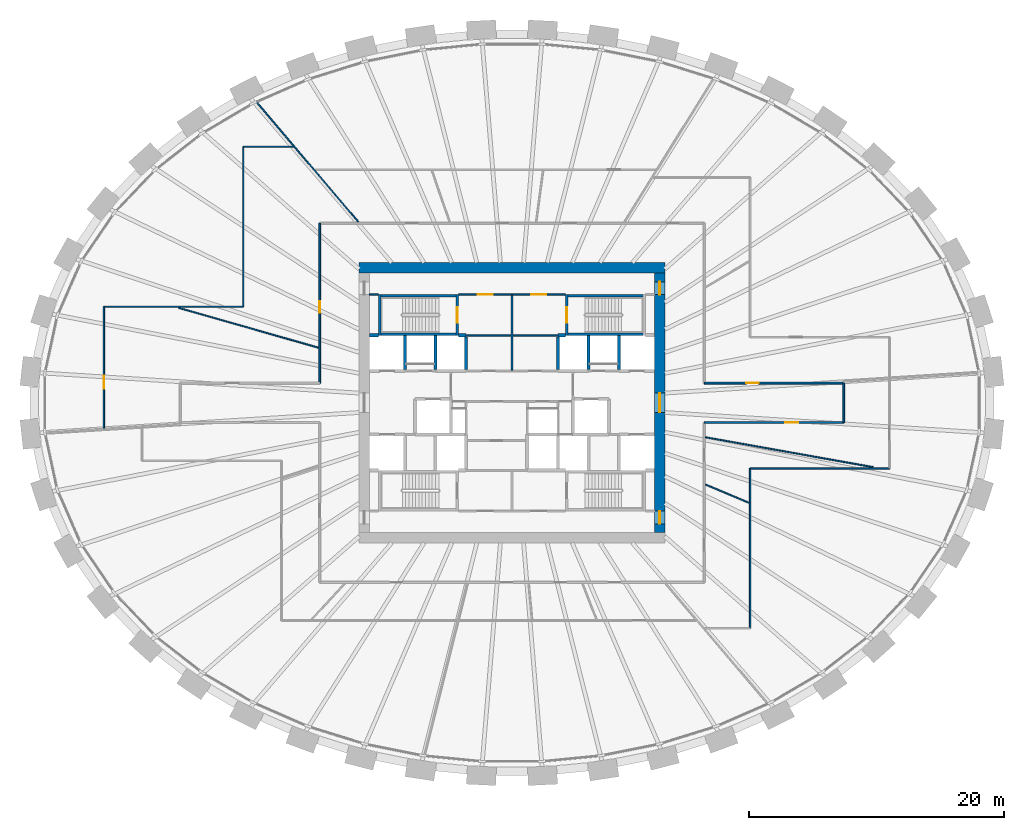
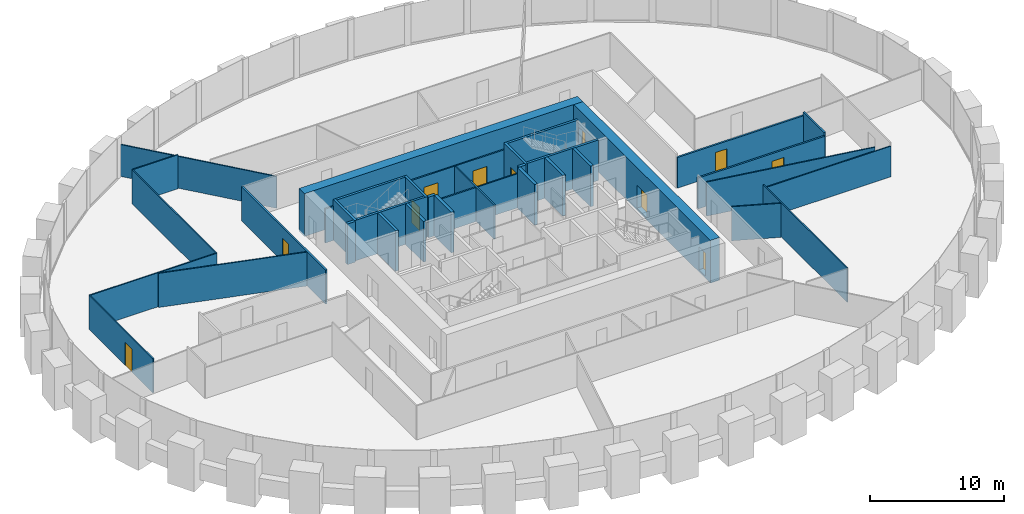
# One storey, part 8 of 10: 36 walls, 11 doors, 11 openings.
"""IFC4 building model written with IfcOpenShell, lengths in metres."""

from ifc_helpers import new_model, si_unit, direction, frame, frame_2d, origin, place, context, subcontext, project, spatial, rectangle, extrude, source, transform, mapped, material, layer, layer_set, type_object, element, fill, save


model = new_model("IFC4")

# Units and contexts
model_context = context("Model", 3, precision=1e-05, world=origin(), true_north=direction((0.0, 1.0)))
body_context = subcontext(model_context, "Body", "Model", "MODEL_VIEW")
ifc_project = project(units=[si_unit("LENGTHUNIT", "METRE"), si_unit("AREAUNIT", "SQUARE_METRE"), si_unit("VOLUMEUNIT", "CUBIC_METRE"), si_unit("PLANEANGLEUNIT", "RADIAN"), si_unit("MASSUNIT", "GRAM", prefix="KILO")], contexts=[model_context])

# Site, building, storey
site_placement = place(None, origin())
site = spatial("IfcSite", under=ifc_project, at=site_placement, CompositionType="ELEMENT")
building_placement = place(site_placement, origin())
building = spatial("IfcBuilding", under=site, at=building_placement, Name="Embergate Tower", CompositionType="ELEMENT")
storey_placement = place(building_placement, frame((0.0, 0.0, 152.10009765625)))
storey = spatial("IfcBuildingStorey", under=building, at=storey_placement, Name="L33", CompositionType="ELEMENT", Elevation=152.10009765625)

# Wall
ifc_material_1 = material(Name="Concrete C70", Category="concrete")
ifc_layer_1 = layer(ifc_material_1, 0.800048828125)
ifc_layer_set_1 = layer_set([ifc_layer_1], Name="Concrete C70")
wall_type_1 = type_object("IfcWallType", Name="Core outer wall C70 800", PredefinedType="SHEAR", material=ifc_layer_set_1)
shared_shape_1 = source(origin(), body_context, "Body", "SweptSolid", [
    extrude(rectangle(XDim=24.0, YDim=0.800048828125, at=frame_2d((12.0, 0.0))), origin(), (0.0, 0.0, 1.0), 3.900146484375),
])
wall_1_placement = place(storey_placement, frame((-12.0, 10.60009765625, -0.2001953125), z_axis=(0.0, 0.0, 1.0), x_axis=(1.0, 0.0, 0.0)))
element("IfcWall", 1, at=wall_1_placement, inside=storey, type_object=wall_type_1, Name="CW-L33-N", PredefinedType="SHEAR", context=body_context, shape_type="MappedRepresentation", body=[
    mapped(shared_shape_1, transform((0.0, 0.0, 0.0))),
])

# Wall, openings, doors
shared_shape_2 = source(origin(), body_context, "Body", "SweptSolid", [
    extrude(rectangle(XDim=20.39990234375, YDim=0.800048828125, at=frame_2d((10.199951171875, 0.0))), origin(), (0.0, 0.0, 1.0), 3.900146484375),
])
wall_2_placement = place(storey_placement, frame((11.60009765625, -10.199951171875, -0.2001953125), z_axis=(0.0, 0.0, 1.0), x_axis=(0.0, 1.0, 0.0)))
wall_2 = element("IfcWall", 2, at=wall_2_placement, inside=storey, type_object=wall_type_1, Name="CW-L33-E", PredefinedType="SHEAR", context=body_context, shape_type="MappedRepresentation", body=[
    mapped(shared_shape_2, transform((0.0, 0.0, 0.0))),
])
shared_shape_3 = source(origin(), body_context, "Body", "SweptSolid", [
    extrude(rectangle(XDim=1.0, YDim=2.10009765625, at=frame_2d((0.5, 1.050048828125))), frame((0.0, 0.409912109375, 0.0), z_axis=(0.0, -1.0, 0.0), x_axis=(1.0, 0.0, 0.0)), (0.0, 0.0, 1.0), 0.820068359375),
])
opening_1_placement = place(wall_2_placement, frame((18.699951171875, 0.0, 0.199951171875)))
opening_1 = element("IfcOpeningElement", 3, at=opening_1_placement, cuts=wall_2, Name="Opening IF-1d", PredefinedType="OPENING", context=body_context, shape_type="MappedRepresentation", body=[
    mapped(shared_shape_3, transform((0.0, 0.0, 0.0))),
])
opening_2_placement = place(wall_2_placement, frame((0.699951171875, 0.0, 0.199951171875)))
opening_2 = element("IfcOpeningElement", 4, at=opening_2_placement, cuts=wall_2, Name="Opening IF-1d", PredefinedType="OPENING", context=body_context, shape_type="MappedRepresentation", body=[
    mapped(shared_shape_3, transform((0.0, 0.0, 0.0))),
])
shared_shape_4 = source(origin(), body_context, "Body", "SweptSolid", [
    extrude(rectangle(XDim=1.5, YDim=2.10009765625, at=frame_2d((0.75, 1.050048828125))), frame((0.0, 0.409912109375, 0.0), z_axis=(0.0, -1.0, 0.0), x_axis=(1.0, 0.0, 0.0)), (0.0, 0.0, 1.0), 0.820068359375),
])
opening_3_placement = place(wall_2_placement, frame((9.449951171875, 0.0, 0.199951171875)))
opening_3 = element("IfcOpeningElement", 5, at=opening_3_placement, cuts=wall_2, Name="Opening IF-3", PredefinedType="OPENING", context=body_context, shape_type="MappedRepresentation", body=[
    mapped(shared_shape_4, transform((0.0, 0.0, 0.0))),
])
ifc_material_2 = material(Name="Lobby fire door pair 1500")
door_type_1 = type_object("IfcDoorType", Name="Lobby fire door pair 1500", OperationType="DOUBLE_DOOR_SINGLE_SWING", PredefinedType="DOOR", material=ifc_material_2)
shared_shape_5 = source(origin(), body_context, "Body", "SweptSolid", [
    extrude(rectangle(XDim=1.5, YDim=2.10009765625, at=frame_2d((0.75, 1.050048828125))), frame((0.0, 0.02490234375, 0.0), z_axis=(0.0, -1.0, 0.0), x_axis=(1.0, 0.0, 0.0)), (0.0, 0.0, 1.0), 0.050048828125),
])
door_1_placement = place(opening_3_placement, origin())
door_1 = element("IfcDoor", 6, at=door_1_placement, inside=storey, type_object=door_type_1, Name="IF-3 door", OperationType="DOUBLE_DOOR_SINGLE_SWING", OverallHeight=2.10009765625, OverallWidth=1.5, PredefinedType="DOOR", context=body_context, shape_type="MappedRepresentation", body=[
    mapped(shared_shape_5, transform((0.0, 0.0, 0.0))),
])
fill(opening_3, door_1)
ifc_material_3 = material(Name="Escape fire door 1000")
door_type_2 = type_object("IfcDoorType", Name="Escape fire door 1000", OperationType="SINGLE_SWING_LEFT", PredefinedType="DOOR", material=ifc_material_3)
shared_shape_6 = source(origin(), body_context, "Body", "SweptSolid", [
    extrude(rectangle(XDim=1.0, YDim=2.10009765625, at=frame_2d((0.5, 1.050048828125))), frame((0.0, 0.02490234375, 0.0), z_axis=(0.0, -1.0, 0.0), x_axis=(1.0, 0.0, 0.0)), (0.0, 0.0, 1.0), 0.050048828125),
])
door_2_placement = place(opening_1_placement, origin())
door_2 = element("IfcDoor", 7, at=door_2_placement, inside=storey, type_object=door_type_2, Name="IF-1 door", OperationType="SINGLE_SWING_RIGHT", OverallHeight=2.10009765625, OverallWidth=1.0, PredefinedType="DOOR", context=body_context, shape_type="MappedRepresentation", body=[
    mapped(shared_shape_6, transform((0.0, 0.0, 0.0))),
])
fill(opening_1, door_2)
door_3_placement = place(opening_2_placement, origin())
door_3 = element("IfcDoor", 8, at=door_3_placement, inside=storey, type_object=door_type_2, Name="IF-1 door", OperationType="SINGLE_SWING_LEFT", OverallHeight=2.10009765625, OverallWidth=1.0, PredefinedType="DOOR", context=body_context, shape_type="MappedRepresentation", body=[
    mapped(shared_shape_6, transform((0.0, 0.0, 0.0))),
])
fill(opening_2, door_3)

# Walls
ifc_material_4 = material(Name="Concrete C50", Category="concrete")
ifc_layer_2 = layer(ifc_material_4, 0.25)
ifc_layer_set_2 = layer_set([ifc_layer_2], Name="Concrete C50")
wall_type_2 = type_object("IfcWallType", Name="Hoistway wall reinforced concrete 250", PredefinedType="SHEAR", material=ifc_layer_set_2)
shared_shape_7 = source(origin(), body_context, "Body", "SweptSolid", [
    extrude(rectangle(XDim=2.675048828125, YDim=0.25, at=frame_2d((1.33740234375, 0.0))), origin(), (0.0, 0.0, 1.0), 3.699951171875),
])
for number, where, z_axis, x_axis, name in (
    (9, (-8.39990234375, 2.625, 0.0), (0.0, 0.0, 1.0), (0.0, 1.0, 0.0), "HW-1 wall"),
    (10, (-6.0, 2.625, 0.0), (0.0, 0.0, 1.0), (0.0, 1.0, 0.0), "HW-1 wall"),
    (11, (6.0, 2.625, 0.0), (0.0, 0.0, 1.0), (0.0, 1.0, 0.0), "HW-1 wall"),
    (12, (8.39990234375, 2.625, 0.0), (0.0, 0.0, 1.0), (0.0, 1.0, 0.0), "HW-1 wall"),
):
    element("IfcWall", number, at=place(storey_placement, frame(where, z_axis=z_axis, x_axis=x_axis)), inside=storey, type_object=wall_type_2, Name=name, PredefinedType="SHEAR", context=body_context, shape_type="MappedRepresentation", body=[
        mapped(shared_shape_7, transform((0.0, 0.0, 0.0))),
    ])
ifc_layer_3 = layer(ifc_material_4, 0.199951171875)
ifc_layer_set_3 = layer_set([ifc_layer_3], Name="Concrete C50")
wall_type_3 = type_object("IfcWallType", Name="Stair enclosure wall reinforced concrete 250", PredefinedType="SHEAR", material=ifc_layer_set_3)
shared_shape_8 = source(origin(), body_context, "Body", "SweptSolid", [
    extrude(rectangle(XDim=6.300048828125, YDim=0.199951171875, at=frame_2d((3.14990234375, 0.0))), origin(), (0.0, 0.0, 1.0), 3.699951171875),
])
for number, where, z_axis, x_axis, name in (
    (13, (-4.199951171875, 5.39990234375, 0.0), (0.0, 0.0, 1.0), (-1.0, 0.0, 0.0), "SE-1 wall"),
    (14, (10.5, 5.39990234375, 0.0), (0.0, 0.0, 1.0), (-1.0, 0.0, 0.0), "SE-1 wall"),
    (15, (-4.199951171875, 8.39990234375, 0.0), (0.0, 0.0, 1.0), (-1.0, 0.0, 0.0), "SE-1 wall"),
    (16, (10.5, 8.39990234375, 0.0), (0.0, 0.0, 1.0), (-1.0, 0.0, 0.0), "SE-1 wall"),
):
    element("IfcWall", number, at=place(storey_placement, frame(where, z_axis=z_axis, x_axis=x_axis)), inside=storey, type_object=wall_type_3, Name=name, PredefinedType="SHEAR", context=body_context, shape_type="MappedRepresentation", body=[
        mapped(shared_shape_8, transform((0.0, 0.0, 0.0))),
    ])
shared_shape_9 = source(origin(), body_context, "Body", "SweptSolid", [
    extrude(rectangle(XDim=2.550048828125, YDim=0.25, at=frame_2d((1.27490234375, 0.0))), origin(), (0.0, 0.0, 1.0), 3.699951171875),
])
for number, where, z_axis, x_axis, name in (
    (17, (-3.60009765625, 2.625, 0.0), (0.0, 0.0, 1.0), (0.0, 1.0, 0.0), "HW-1 wall"),
    (18, (3.60009765625, 5.175048828125, 0.0), (0.0, 0.0, 1.0), (0.0, -1.0, 0.0), "HW-1 wall"),
):
    element("IfcWall", number, at=place(storey_placement, frame(where, z_axis=z_axis, x_axis=x_axis)), inside=storey, type_object=wall_type_2, Name=name, PredefinedType="SHEAR", context=body_context, shape_type="MappedRepresentation", body=[
        mapped(shared_shape_9, transform((0.0, 0.0, 0.0))),
    ])

# Wall, opening, door
shared_shape_10 = source(origin(), body_context, "Body", "SweptSolid", [
    extrude(rectangle(XDim=3.199951171875, YDim=0.199951171875, at=frame_2d((1.60009765625, 0.0))), origin(), (0.0, 0.0, 1.0), 3.699951171875),
])
wall_3_placement = place(storey_placement, frame((-4.300048828125, 5.300048828125, 0.0), z_axis=(0.0, 0.0, 1.0), x_axis=(0.0, 1.0, 0.0)))
wall_3 = element("IfcWall", 19, at=wall_3_placement, inside=storey, type_object=wall_type_3, Name="SE-1 wall", PredefinedType="SHEAR", context=body_context, shape_type="MappedRepresentation", body=[
    mapped(shared_shape_10, transform((0.0, 0.0, 0.0))),
])
shared_shape_11 = source(origin(), body_context, "Body", "SweptSolid", [
    extrude(rectangle(XDim=1.199951171875, YDim=2.10009765625, at=frame_2d((0.60009765625, 1.050048828125))), frame((0.0, 0.10986328125, 0.0), z_axis=(0.0, -1.0, 0.0), x_axis=(1.0, 0.0, 0.0)), (0.0, 0.0, 1.0), 0.219970703125),
])
opening_4_placement = place(wall_3_placement, frame((1.0, 0.0, 0.0)))
opening_4 = element("IfcOpeningElement", 20, at=opening_4_placement, cuts=wall_3, Name="Opening IF-2", PredefinedType="OPENING", context=body_context, shape_type="MappedRepresentation", body=[
    mapped(shared_shape_11, transform((0.0, 0.0, 0.0))),
])
ifc_material_5 = material(Name="Stair enclosure door 1200")
door_type_3 = type_object("IfcDoorType", Name="Stair enclosure door 1200", OperationType="SINGLE_SWING_LEFT", PredefinedType="DOOR", material=ifc_material_5)
shared_shape_12 = source(origin(), body_context, "Body", "SweptSolid", [
    extrude(rectangle(XDim=1.199951171875, YDim=2.10009765625, at=frame_2d((0.60009765625, 1.050048828125))), frame((0.0, 0.02490234375, 0.0), z_axis=(0.0, -1.0, 0.0), x_axis=(1.0, 0.0, 0.0)), (0.0, 0.0, 1.0), 0.050048828125),
])
door_4_placement = place(opening_4_placement, origin())
door_4 = element("IfcDoor", 21, at=door_4_placement, inside=storey, type_object=door_type_3, Name="IF-2 door", OperationType="SINGLE_SWING_RIGHT", OverallHeight=2.10009765625, OverallWidth=1.199951171875, PredefinedType="DOOR", context=body_context, shape_type="MappedRepresentation", body=[
    mapped(shared_shape_12, transform((0.0, 0.0, 0.0))),
])
fill(opening_4, door_4)

wall_4_placement = place(storey_placement, frame((4.300048828125, 8.5, 0.0), z_axis=(0.0, 0.0, 1.0), x_axis=(0.0, -1.0, 0.0)))
wall_4 = element("IfcWall", 22, at=wall_4_placement, inside=storey, type_object=wall_type_3, Name="SE-1 wall", PredefinedType="SHEAR", context=body_context, shape_type="MappedRepresentation", body=[
    mapped(shared_shape_10, transform((0.0, 0.0, 0.0))),
])
opening_5_placement = place(wall_4_placement, frame((1.0, 0.0, 0.0)))
opening_5 = element("IfcOpeningElement", 23, at=opening_5_placement, cuts=wall_4, Name="Opening IF-2", PredefinedType="OPENING", context=body_context, shape_type="MappedRepresentation", body=[
    mapped(shared_shape_11, transform((0.0, 0.0, 0.0))),
])
door_5_placement = place(opening_5_placement, origin())
door_5 = element("IfcDoor", 24, at=door_5_placement, inside=storey, type_object=door_type_3, Name="IF-2 door", OperationType="SINGLE_SWING_LEFT", OverallHeight=2.10009765625, OverallWidth=1.199951171875, PredefinedType="DOOR", context=body_context, shape_type="MappedRepresentation", body=[
    mapped(shared_shape_12, transform((0.0, 0.0, 0.0))),
])
fill(opening_5, door_5)

# Wall, openings, doors
ifc_material_6 = material(Name="Core partition blockwork 120")
ifc_layer_4 = layer(ifc_material_6, 0.1201171875)
ifc_layer_set_4 = layer_set([ifc_layer_4], Name="Core partition blockwork 120")
wall_type_4 = type_object("IfcWallType", Name="Core partition blockwork 120", PredefinedType="PARTITIONING", material=ifc_layer_set_4)
shared_shape_13 = source(origin(), body_context, "Body", "SweptSolid", [
    extrude(rectangle(XDim=8.39990234375, YDim=0.1201171875, at=frame_2d((4.199951171875, 0.0))), origin(), (0.0, 0.0, 1.0), 3.099853515625),
])
wall_5_placement = place(storey_placement, frame((4.199951171875, 8.5, 0.0), z_axis=(0.0, 0.0, 1.0), x_axis=(-1.0, 0.0, 0.0)))
wall_5 = element("IfcWall", 25, at=wall_5_placement, inside=storey, type_object=wall_type_4, Name="IP-3 wall", PredefinedType="PARTITIONING", context=body_context, shape_type="MappedRepresentation", body=[
    mapped(shared_shape_13, transform((0.0, 0.0, 0.0))),
])
shared_shape_14 = source(origin(), body_context, "Body", "SweptSolid", [
    extrude(rectangle(XDim=1.199951171875, YDim=2.10009765625, at=frame_2d((0.60009765625, 1.050048828125))), frame((0.0, 0.070068359375, 0.0), z_axis=(0.0, -1.0, 0.0), x_axis=(1.0, 0.0, 0.0)), (0.0, 0.0, 1.0), 0.14013671875),
])
opening_6_placement = place(wall_5_placement, frame((5.699951171875, 0.0, 0.0)))
opening_6 = element("IfcOpeningElement", 26, at=opening_6_placement, cuts=wall_5, Name="Opening IF-3f", PredefinedType="OPENING", context=body_context, shape_type="MappedRepresentation", body=[
    mapped(shared_shape_14, transform((0.0, 0.0, 0.0))),
])
opening_7_placement = place(wall_5_placement, frame((1.5, 0.0, 0.0)))
opening_7 = element("IfcOpeningElement", 27, at=opening_7_placement, cuts=wall_5, Name="Opening IF-3f", PredefinedType="OPENING", context=body_context, shape_type="MappedRepresentation", body=[
    mapped(shared_shape_14, transform((0.0, 0.0, 0.0))),
])
ifc_material_7 = material(Name="Lobby fire door pair 1200")
door_type_4 = type_object("IfcDoorType", Name="Lobby fire door pair 1200", OperationType="DOUBLE_DOOR_SINGLE_SWING", PredefinedType="DOOR", material=ifc_material_7)
door_6_placement = place(opening_6_placement, origin())
door_6 = element("IfcDoor", 28, at=door_6_placement, inside=storey, type_object=door_type_4, Name="IF-3 door", OperationType="DOUBLE_DOOR_SINGLE_SWING", OverallHeight=2.10009765625, OverallWidth=1.199951171875, PredefinedType="DOOR", context=body_context, shape_type="MappedRepresentation", body=[
    mapped(shared_shape_12, transform((0.0, 0.0, 0.0))),
])
fill(opening_6, door_6)
door_7_placement = place(opening_7_placement, origin())
door_7 = element("IfcDoor", 29, at=door_7_placement, inside=storey, type_object=door_type_4, Name="IF-3 door", OperationType="DOUBLE_DOOR_SINGLE_SWING", OverallHeight=2.10009765625, OverallWidth=1.199951171875, PredefinedType="DOOR", context=body_context, shape_type="MappedRepresentation", body=[
    mapped(shared_shape_12, transform((0.0, 0.0, 0.0))),
])
fill(opening_7, door_7)

# Walls
shared_shape_15 = source(origin(), body_context, "Body", "SweptSolid", [
    extrude(rectangle(XDim=0.599853515625, YDim=0.25, at=frame_2d((0.2998046875, 0.0))), origin(), (0.0, 0.0, 1.0), 3.699951171875),
])
for number, where, z_axis, x_axis, name in (
    (30, (-3.60009765625, 5.300048828125, 0.0), (0.0, 0.0, 1.0), (-1.0, 0.0, 0.0), "HW-1 wall"),
    (31, (4.199951171875, 5.300048828125, 0.0), (0.0, 0.0, 1.0), (-1.0, 0.0, 0.0), "HW-1 wall"),
):
    element("IfcWall", number, at=place(storey_placement, frame(where, z_axis=z_axis, x_axis=x_axis)), inside=storey, type_object=wall_type_2, Name=name, PredefinedType="SHEAR", context=body_context, shape_type="MappedRepresentation", body=[
        mapped(shared_shape_15, transform((0.0, 0.0, 0.0))),
    ])
shared_shape_16 = source(origin(), body_context, "Body", "SweptSolid", [
    extrude(rectangle(XDim=3.196044921875, YDim=0.199951171875, at=frame_2d((1.59814453125, 0.0))), origin(), (0.0, 0.0, 1.0), 3.699951171875),
])
wall_6_placement = place(storey_placement, frame((-10.39990234375, 8.498046875, 0.0), z_axis=(0.0, 0.0, 1.0), x_axis=(0.0, -1.0, 0.0)))
element("IfcWall", 32, at=wall_6_placement, inside=storey, type_object=wall_type_3, Name="SE-1 wall", PredefinedType="SHEAR", context=body_context, shape_type="MappedRepresentation", body=[
    mapped(shared_shape_16, transform((0.0, 0.0, 0.0))),
])
shared_shape_17 = source(origin(), body_context, "Body", "SweptSolid", [
    extrude(rectangle(XDim=0.697998046875, YDim=0.25, at=frame_2d((0.34912109375, 0.0))), origin(), (0.0, 0.0, 1.0), 3.699951171875),
])
wall_7_placement = place(storey_placement, frame((-10.501953125, 5.300048828125, 0.0), z_axis=(0.0, 0.0, 1.0), x_axis=(-1.0, 0.0, 0.0)))
element("IfcWall", 33, at=wall_7_placement, inside=storey, type_object=wall_type_2, Name="HW-1 wall", PredefinedType="SHEAR", context=body_context, shape_type="MappedRepresentation", body=[
    mapped(shared_shape_17, transform((0.0, 0.0, 0.0))),
])
shared_shape_18 = source(origin(), body_context, "Body", "SweptSolid", [
    extrude(rectangle(XDim=7.2001953125, YDim=0.1201171875, at=frame_2d((3.60009765625, 0.0))), origin(), (0.0, 0.0, 1.0), 3.099853515625),
])
wall_8_placement = place(storey_placement, frame((-3.60009765625, 5.300048828125, 0.0), z_axis=(0.0, 0.0, 1.0), x_axis=(1.0, 0.0, 0.0)))
element("IfcWall", 34, at=wall_8_placement, inside=storey, type_object=wall_type_4, Name="IP-3 wall", PredefinedType="PARTITIONING", context=body_context, shape_type="MappedRepresentation", body=[
    mapped(shared_shape_18, transform((0.0, 0.0, 0.0))),
])
shared_shape_19 = source(origin(), body_context, "Body", "SweptSolid", [
    extrude(rectangle(XDim=0.697998046875, YDim=0.1201171875, at=frame_2d((0.34912109375, 0.0))), origin(), (0.0, 0.0, 1.0), 3.099853515625),
])
wall_9_placement = place(storey_placement, frame((-11.199951171875, 8.5, 0.0), z_axis=(0.0, 0.0, 1.0), x_axis=(1.0, 0.0, 0.0)))
element("IfcWall", 35, at=wall_9_placement, inside=storey, type_object=wall_type_4, Name="IP-3 wall", PredefinedType="PARTITIONING", context=body_context, shape_type="MappedRepresentation", body=[
    mapped(shared_shape_19, transform((0.0, 0.0, 0.0))),
])

# Wall, opening, door
ifc_material_8 = material(Name="Corridor wall dry-lined 150")
ifc_layer_5 = layer(ifc_material_8, 0.14990234375)
ifc_layer_set_5 = layer_set([ifc_layer_5], Name="Corridor wall dry-lined 150")
wall_type_5 = type_object("IfcWallType", Name="Corridor wall dry-lined 150", PredefinedType="PARTITIONING", material=ifc_layer_set_5)
shared_shape_20 = source(origin(), body_context, "Body", "SweptSolid", [
    extrude(rectangle(XDim=10.949951171875, YDim=0.14990234375, at=frame_2d((5.47509765625, 0.0))), origin(), (0.0, 0.0, 1.0), 2.7998046875),
])
wall_10_placement = place(storey_placement, frame((15.10009765625, -1.550048828125, 0.0), z_axis=(0.0, 0.0, 1.0), x_axis=(1.0, 0.0, 0.0)))
wall_10 = element("IfcWall", 36, at=wall_10_placement, inside=storey, type_object=wall_type_5, Name="IP-2 wall", PredefinedType="PARTITIONING", context=body_context, shape_type="MappedRepresentation", body=[
    mapped(shared_shape_20, transform((0.0, 0.0, 0.0))),
])
shared_shape_21 = source(origin(), body_context, "Body", "SweptSolid", [
    extrude(rectangle(XDim=1.0, YDim=2.10009765625, at=frame_2d((0.5, 1.050048828125))), frame((0.0, 0.0849609375, 0.0), z_axis=(0.0, -1.0, 0.0), x_axis=(1.0, 0.0, 0.0)), (0.0, 0.0, 1.0), 0.169921875),
])
opening_8_placement = place(wall_10_placement, frame((6.376953125, 0.0, 0.0)))
opening_8 = element("IfcOpeningElement", 37, at=opening_8_placement, cuts=wall_10, Name="Opening ID-2", PredefinedType="OPENING", context=body_context, shape_type="MappedRepresentation", body=[
    mapped(shared_shape_21, transform((0.0, 0.0, 0.0))),
])
ifc_material_9 = material(Name="Interior door 1000")
door_type_5 = type_object("IfcDoorType", Name="Interior door 1000", OperationType="SINGLE_SWING_LEFT", PredefinedType="DOOR", material=ifc_material_9)
door_8_placement = place(opening_8_placement, origin())
door_8 = element("IfcDoor", 38, at=door_8_placement, inside=storey, type_object=door_type_5, Name="ID-2 door", OperationType="SINGLE_SWING_LEFT", OverallHeight=2.10009765625, OverallWidth=1.0, PredefinedType="DOOR", context=body_context, shape_type="MappedRepresentation", body=[
    mapped(shared_shape_6, transform((0.0, 0.0, 0.0))),
])
fill(opening_8, door_8)

wall_11_placement = place(storey_placement, frame((26.050048828125, 1.550048828125, 0.0), z_axis=(0.0, 0.0, 1.0), x_axis=(-1.0, 0.0, 0.0)))
wall_11 = element("IfcWall", 39, at=wall_11_placement, inside=storey, type_object=wall_type_5, Name="IP-2 wall", PredefinedType="PARTITIONING", context=body_context, shape_type="MappedRepresentation", body=[
    mapped(shared_shape_20, transform((0.0, 0.0, 0.0))),
])
opening_9_placement = place(wall_11_placement, frame((6.6708984375, 0.0, 0.0)))
opening_9 = element("IfcOpeningElement", 40, at=opening_9_placement, cuts=wall_11, Name="Opening ID-2", PredefinedType="OPENING", context=body_context, shape_type="MappedRepresentation", body=[
    mapped(shared_shape_21, transform((0.0, 0.0, 0.0))),
])
door_9_placement = place(opening_9_placement, origin())
door_9 = element("IfcDoor", 41, at=door_9_placement, inside=storey, type_object=door_type_5, Name="ID-2 door", OperationType="SINGLE_SWING_RIGHT", OverallHeight=2.10009765625, OverallWidth=1.0, PredefinedType="DOOR", context=body_context, shape_type="MappedRepresentation", body=[
    mapped(shared_shape_6, transform((0.0, 0.0, 0.0))),
])
fill(opening_9, door_9)

shared_shape_22 = source(origin(), body_context, "Body", "SweptSolid", [
    extrude(rectangle(XDim=12.550048828125, YDim=0.14990234375, at=frame_2d((6.27490234375, 0.0))), origin(), (0.0, 0.0, 1.0), 3.099853515625),
])
wall_12_placement = place(storey_placement, frame((-15.10009765625, 1.550048828125, 0.0), z_axis=(0.0, 0.0, 1.0), x_axis=(0.0, 1.0, 0.0)))
wall_12 = element("IfcWall", 42, at=wall_12_placement, inside=storey, type_object=wall_type_5, Name="IP-2 wall", PredefinedType="PARTITIONING", context=body_context, shape_type="MappedRepresentation", body=[
    mapped(shared_shape_22, transform((0.0, 0.0, 0.0))),
])
shared_shape_23 = source(origin(), body_context, "Body", "SweptSolid", [
    extrude(rectangle(XDim=0.89990234375, YDim=2.10009765625, at=frame_2d((0.449951171875, 1.050048828125))), frame((0.0, 0.0849609375, 0.0), z_axis=(0.0, -1.0, 0.0), x_axis=(1.0, 0.0, 0.0)), (0.0, 0.0, 1.0), 0.169921875),
])
opening_10_placement = place(wall_12_placement, frame((5.5400390625, 0.0, 0.0)))
opening_10 = element("IfcOpeningElement", 43, at=opening_10_placement, cuts=wall_12, Name="Opening IF-1c", PredefinedType="OPENING", context=body_context, shape_type="MappedRepresentation", body=[
    mapped(shared_shape_23, transform((0.0, 0.0, 0.0))),
])
ifc_material_10 = material(Name="Escape fire door 900")
door_type_6 = type_object("IfcDoorType", Name="Escape fire door 900", OperationType="SINGLE_SWING_LEFT", PredefinedType="DOOR", material=ifc_material_10)
shared_shape_24 = source(origin(), body_context, "Body", "SweptSolid", [
    extrude(rectangle(XDim=0.89990234375, YDim=2.10009765625, at=frame_2d((0.449951171875, 1.050048828125))), frame((0.0, 0.02490234375, 0.0), z_axis=(0.0, -1.0, 0.0), x_axis=(1.0, 0.0, 0.0)), (0.0, 0.0, 1.0), 0.050048828125),
])
door_10_placement = place(opening_10_placement, origin())
door_10 = element("IfcDoor", 44, at=door_10_placement, inside=storey, type_object=door_type_6, Name="IF-1 door", OperationType="SINGLE_SWING_RIGHT", OverallHeight=2.10009765625, OverallWidth=0.89990234375, PredefinedType="DOOR", context=body_context, shape_type="MappedRepresentation", body=[
    mapped(shared_shape_24, transform((0.0, 0.0, 0.0))),
])
fill(opening_10, door_10)

# Walls
shared_shape_25 = source(origin(), body_context, "Body", "SweptSolid", [
    extrude(rectangle(XDim=3.10009765625, YDim=0.14990234375, at=frame_2d((1.550048828125, 0.0))), origin(), (0.0, 0.0, 1.0), 3.099853515625),
])
wall_13_placement = place(storey_placement, frame((26.050048828125, -1.550048828125, 0.0), z_axis=(0.0, 0.0, 1.0), x_axis=(0.0, 1.0, 0.0)))
element("IfcWall", 45, at=wall_13_placement, inside=storey, type_object=wall_type_5, Name="IP-2 wall", PredefinedType="PARTITIONING", context=body_context, shape_type="MappedRepresentation", body=[
    mapped(shared_shape_25, transform((0.0, 0.0, 0.0))),
])
ifc_material_11 = material(Name="Partition dry-lined 100")
ifc_layer_6 = layer(ifc_material_11, 0.10009765625)
ifc_layer_set_6 = layer_set([ifc_layer_6], Name="Partition dry-lined 100")
wall_type_6 = type_object("IfcWallType", Name="Partition dry-lined 100", PredefinedType="PARTITIONING", material=ifc_layer_set_6)
shared_shape_26 = source(origin(), body_context, "Body", "SweptSolid", [
    extrude(rectangle(XDim=10.949951171875, YDim=0.10009765625, at=frame_2d((5.47509765625, 0.0))), origin(), (0.0, 0.0, 1.0), 2.7998046875),
])
wall_14_placement = place(storey_placement, frame((29.64990234375, -5.14990234375, 0.0), z_axis=(0.0, 0.0, 1.0), x_axis=(-1.0, 0.0, 0.0)))
element("IfcWall", 46, at=wall_14_placement, inside=storey, type_object=wall_type_6, Name="IP-1 wall", PredefinedType="PARTITIONING", context=body_context, shape_type="MappedRepresentation", body=[
    mapped(shared_shape_26, transform((0.0, 0.0, 0.0))),
])
shared_shape_27 = source(origin(), body_context, "Body", "SweptSolid", [
    extrude(rectangle(XDim=12.550048828125, YDim=0.10009765625, at=frame_2d((6.27490234375, 0.0))), origin(), (0.0, 0.0, 1.0), 3.099853515625),
])
for number, where, z_axis, x_axis, name in (
    (47, (18.699951171875, -5.14990234375, 0.0), (0.0, 0.0, 1.0), (0.0, -1.0, 0.0), "IP-1 wall"),
    (48, (-21.10009765625, 7.550048828125, 0.0), (0.0, 0.0, 1.0), (0.0, 1.0, 0.0), "IP-1 wall"),
):
    element("IfcWall", number, at=place(storey_placement, frame(where, z_axis=z_axis, x_axis=x_axis)), inside=storey, type_object=wall_type_6, Name=name, PredefinedType="PARTITIONING", context=body_context, shape_type="MappedRepresentation", body=[
        mapped(shared_shape_27, transform((0.0, 0.0, 0.0))),
    ])
shared_shape_28 = source(origin(), body_context, "Body", "SweptSolid", [
    extrude(rectangle(XDim=12.37109375, YDim=0.10009765625, at=frame_2d((6.185546875, 0.0))), origin(), (0.0, 0.0, 1.0), 2.89990234375),
])
wall_15_placement = place(storey_placement, frame((-20.077880859375, 23.635986328125, 0.0), z_axis=(0.0, 0.0, 1.0), x_axis=(0.647375129587, -0.762171530295, 0.0)))
element("IfcWall", 49, at=wall_15_placement, inside=storey, type_object=wall_type_6, Name="IP-1 wall", PredefinedType="PARTITIONING", context=body_context, shape_type="MappedRepresentation", body=[
    mapped(shared_shape_28, transform((0.0, 0.0, 0.0))),
])
shared_shape_29 = source(origin(), body_context, "Body", "SweptSolid", [
    extrude(rectangle(XDim=3.731201171875, YDim=0.10009765625, at=frame_2d((1.86572265625, 0.0))), origin(), (0.0, 0.0, 1.0), 3.099853515625),
])
wall_16_placement = place(storey_placement, frame((15.194091796875, -6.4189453125, 0.0), z_axis=(0.0, 0.0, 1.0), x_axis=(0.921156789101, -0.389191687852, 0.0)))
element("IfcWall", 50, at=wall_16_placement, inside=storey, type_object=wall_type_6, Name="IP-1 wall", PredefinedType="PARTITIONING", context=body_context, shape_type="MappedRepresentation", body=[
    mapped(shared_shape_29, transform((0.0, 0.0, 0.0))),
])
shared_shape_30 = source(origin(), body_context, "Body", "SweptSolid", [
    extrude(rectangle(XDim=13.369384765625, YDim=0.10009765625, at=frame_2d((6.6845703125, 0.0))), origin(), (0.0, 0.0, 1.0), 3.099853515625),
])
wall_17_placement = place(storey_placement, frame((15.18408203125, -2.705078125, 0.0), z_axis=(0.0, 0.0, 1.0), x_axis=(0.984484294433, -0.175472715869, 0.0)))
element("IfcWall", 51, at=wall_17_placement, inside=storey, type_object=wall_type_6, Name="IP-1 wall", PredefinedType="PARTITIONING", context=body_context, shape_type="MappedRepresentation", body=[
    mapped(shared_shape_30, transform((0.0, 0.0, 0.0))),
])
shared_shape_31 = source(origin(), body_context, "Body", "SweptSolid", [
    extrude(rectangle(XDim=11.41357421875, YDim=0.10009765625, at=frame_2d((5.706787109375, 0.0))), origin(), (0.0, 0.0, 1.0), 3.099853515625),
])
wall_18_placement = place(storey_placement, frame((-15.18896484375, 4.325927734375, 0.0), z_axis=(0.0, 0.0, 1.0), x_axis=(-0.961762512549, 0.273884774047, 0.0)))
element("IfcWall", 52, at=wall_18_placement, inside=storey, type_object=wall_type_6, Name="IP-1 wall", PredefinedType="PARTITIONING", context=body_context, shape_type="MappedRepresentation", body=[
    mapped(shared_shape_31, transform((0.0, 0.0, 0.0))),
])
shared_shape_32 = source(origin(), body_context, "Body", "SweptSolid", [
    extrude(rectangle(XDim=10.949951171875, YDim=0.10009765625, at=frame_2d((5.47509765625, 0.0))), origin(), (0.0, 0.0, 1.0), 3.099853515625),
])
wall_19_placement = place(storey_placement, frame((-32.050048828125, 7.550048828125, 0.0), z_axis=(0.0, 0.0, 1.0), x_axis=(1.0, 0.0, 0.0)))
element("IfcWall", 53, at=wall_19_placement, inside=storey, type_object=wall_type_6, Name="IP-1 wall", PredefinedType="PARTITIONING", context=body_context, shape_type="MappedRepresentation", body=[
    mapped(shared_shape_32, transform((0.0, 0.0, 0.0))),
])
shared_shape_33 = source(origin(), body_context, "Body", "SweptSolid", [
    extrude(rectangle(XDim=3.9169921875, YDim=0.10009765625, at=frame_2d((1.95849609375, 0.0))), origin(), (0.0, 0.0, 1.0), 3.099853515625),
])
wall_20_placement = place(storey_placement, frame((-21.10009765625, 20.10009765625, 0.0), z_axis=(0.0, 0.0, 1.0), x_axis=(1.0, 0.0, 0.0)))
element("IfcWall", 54, at=wall_20_placement, inside=storey, type_object=wall_type_6, Name="IP-1 wall", PredefinedType="PARTITIONING", context=body_context, shape_type="MappedRepresentation", body=[
    mapped(shared_shape_33, transform((0.0, 0.0, 0.0))),
])

# Wall, opening, door
shared_shape_34 = source(origin(), body_context, "Body", "SweptSolid", [
    extrude(rectangle(XDim=9.56298828125, YDim=0.10009765625, at=frame_2d((4.781494140625, 0.0))), origin(), (0.0, 0.0, 1.0), 3.099853515625),
])
wall_21_placement = place(storey_placement, frame((-32.050048828125, 7.550048828125, 0.0), z_axis=(0.0, 0.0, 1.0), x_axis=(0.0, -1.0, 0.0)))
wall_21 = element("IfcWall", 55, at=wall_21_placement, inside=storey, type_object=wall_type_6, Name="IP-1 wall", PredefinedType="PARTITIONING", context=body_context, shape_type="MappedRepresentation", body=[
    mapped(shared_shape_34, transform((0.0, 0.0, 0.0))),
])
shared_shape_35 = source(origin(), body_context, "Body", "SweptSolid", [
    extrude(rectangle(XDim=1.0, YDim=2.10009765625, at=frame_2d((0.5, 1.050048828125))), frame((0.0, 0.06005859375, 0.0), z_axis=(0.0, -1.0, 0.0), x_axis=(1.0, 0.0, 0.0)), (0.0, 0.0, 1.0), 0.1201171875),
])
opening_11_placement = place(wall_21_placement, frame((5.427978515625, 0.0, 0.0)))
opening_11 = element("IfcOpeningElement", 56, at=opening_11_placement, cuts=wall_21, Name="Opening ID-2", PredefinedType="OPENING", context=body_context, shape_type="MappedRepresentation", body=[
    mapped(shared_shape_35, transform((0.0, 0.0, 0.0))),
])
door_11_placement = place(opening_11_placement, origin())
door_11 = element("IfcDoor", 57, at=door_11_placement, inside=storey, type_object=door_type_5, Name="ID-2 door", OperationType="SINGLE_SWING_RIGHT", OverallHeight=2.10009765625, OverallWidth=1.0, PredefinedType="DOOR", context=body_context, shape_type="MappedRepresentation", body=[
    mapped(shared_shape_6, transform((0.0, 0.0, 0.0))),
])
fill(opening_11, door_11)

# Wall
shared_shape_36 = source(origin(), body_context, "Body", "SweptSolid", [
    extrude(rectangle(XDim=5.8798828125, YDim=0.1201171875, at=frame_2d((2.93994140625, 0.0))), origin(), (0.0, 0.0, 1.0), 3.099853515625),
])
wall_22_placement = place(storey_placement, frame((0.0, 2.56005859375, 0.0), z_axis=(0.0, 0.0, 1.0), x_axis=(0.0, 1.0, 0.0)))
element("IfcWall", 58, at=wall_22_placement, inside=storey, type_object=wall_type_4, Name="IP-3 wall", PredefinedType="PARTITIONING", context=body_context, shape_type="MappedRepresentation", body=[
    mapped(shared_shape_36, transform((0.0, 0.0, 0.0))),
])

save(model, "model.ifc")
